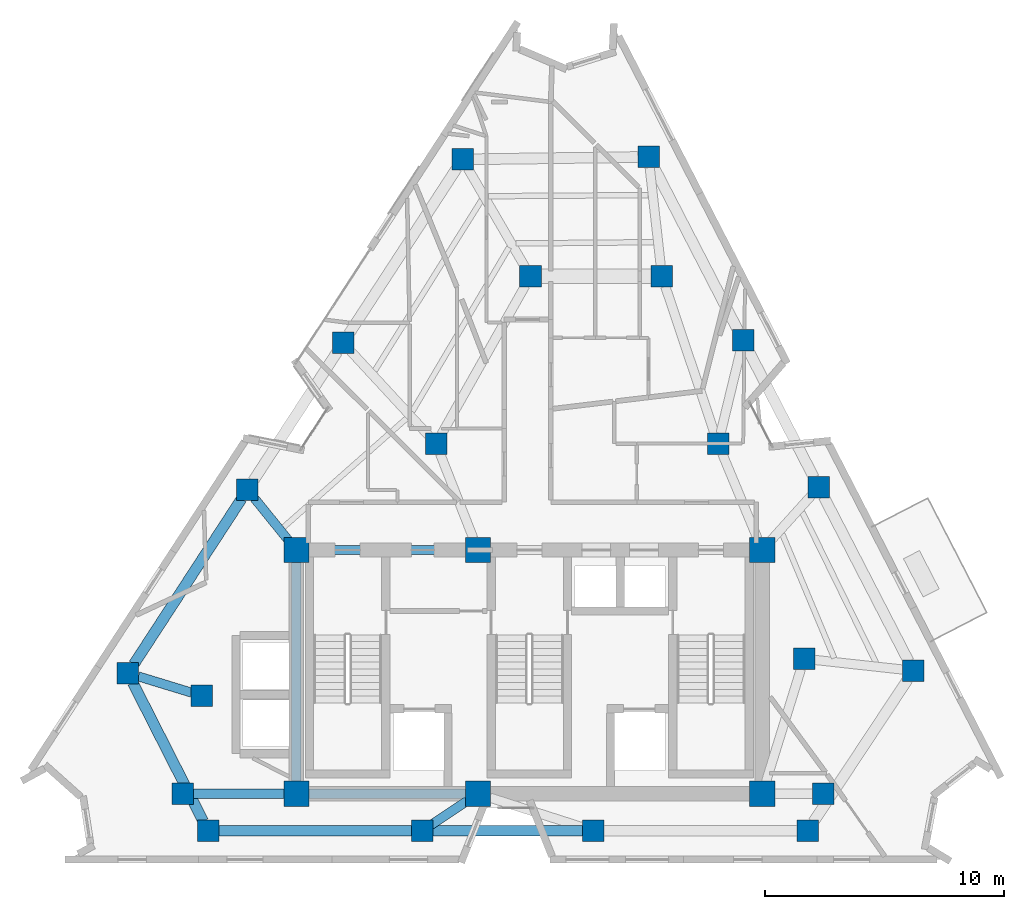
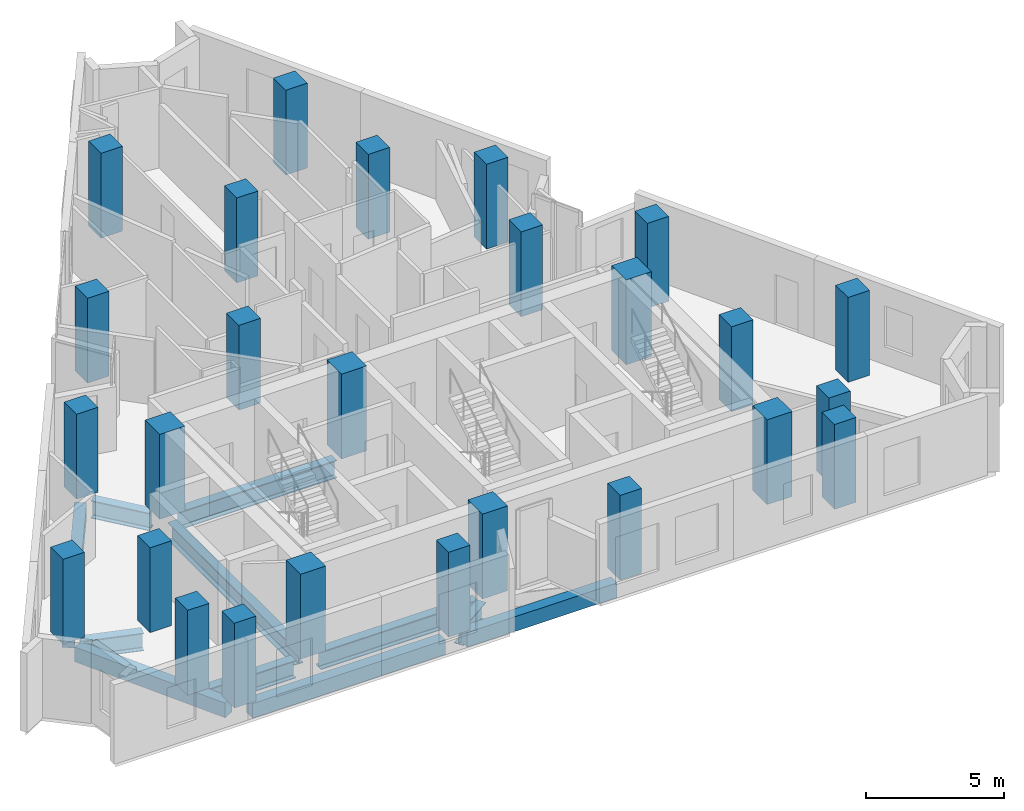
# One storey, part 1 of 10: 26 columns, 11 beams.
"""IFC4 building model written with IfcOpenShell, lengths in metres."""

from ifc_helpers import new_model, si_unit, direction, frame, origin, origin_2d, place, context, subcontext, project, spatial, rectangle, i_section, extrude, material, material_profile, profile_set, type_object, element, save


model = new_model("IFC4")

# Units and contexts
model_context = context("Model", 3, precision=1e-05, world=origin(), true_north=direction((0.0, 1.0)))
body_context = subcontext(model_context, "Body", "Model", "MODEL_VIEW")
ifc_project = project(units=[si_unit("LENGTHUNIT", "METRE"), si_unit("AREAUNIT", "SQUARE_METRE"), si_unit("VOLUMEUNIT", "CUBIC_METRE"), si_unit("PLANEANGLEUNIT", "RADIAN"), si_unit("MASSUNIT", "GRAM", prefix="KILO")], contexts=[model_context])

# Site, building, storey
site_placement = place(None, origin())
site = spatial("IfcSite", under=ifc_project, at=site_placement, CompositionType="ELEMENT")
building_placement = place(site_placement, origin())
building = spatial("IfcBuilding", under=site, at=building_placement, Name="Almagre Mirador Tower", CompositionType="ELEMENT")
storey_placement = place(building_placement, frame((0.0, 0.0, 222.0)))
storey = spatial("IfcBuildingStorey", under=building, at=storey_placement, Name="L57", CompositionType="ELEMENT", Elevation=222.0)

# Columns
ifc_material_1 = material(Name="Concrete C60/75", Category="concrete")
ifc_material_profile_1 = material_profile(ifc_material_1, rectangle(XDim=1.050048828125, YDim=1.050048828125, at=origin_2d()), Name="RC1050X1050")
ifc_profile_set_1 = profile_set([ifc_material_profile_1], Name="Concrete C60/75")
column_type_1 = type_object("IfcColumnType", Name="COL-RC1050", PredefinedType="COLUMN", material=ifc_profile_set_1)
for number, where, z_axis, x_axis, name in (
    (1, (27.550048828125, 4.550048828125, 0.0), (0.0, 0.0, 1.0), (1.0, 0.0, 0.0), "L57 core spine column CC1"),
    (2, (35.14990234375, 4.550048828125, 0.0), (0.0, 0.0, 1.0), (1.0, 0.0, 0.0), "L57 core spine column CC2"),
    (3, (47.050048828125, 4.550048828125, 0.0), (0.0, 0.0, 1.0), (1.0, 0.0, 0.0), "L57 core spine column CC3"),
    (4, (27.550048828125, 14.75, 0.0), (0.0, 0.0, 1.0), (1.0, 0.0, 0.0), "L57 core spine column CC4"),
    (5, (35.14990234375, 14.75, 0.0), (0.0, 0.0, 1.0), (1.0, 0.0, 0.0), "L57 core spine column CC5"),
    (6, (47.050048828125, 14.75, 0.0), (0.0, 0.0, 1.0), (1.0, 0.0, 0.0), "L57 core spine column CC6"),
):
    element("IfcColumn", number, at=place(storey_placement, frame(where, z_axis=z_axis, x_axis=x_axis)), inside=storey, type_object=column_type_1, Name=name, PredefinedType="COLUMN", context=body_context, shape_type="SweptSolid", body=[
        extrude(rectangle(XDim=1.050048828125, YDim=1.050048828125, at=origin_2d()), origin(), (0.0, 0.0, 1.0), 3.75),
    ])
ifc_material_2 = material(Name="Concrete C60/75", Category="concrete")
ifc_material_profile_2 = material_profile(ifc_material_2, rectangle(XDim=0.89990234375, YDim=0.89990234375, at=origin_2d()), Name="RC900X900")
ifc_profile_set_2 = profile_set([ifc_material_profile_2], Name="Concrete C60/75")
column_type_2 = type_object("IfcColumnType", Name="COL-RC900", PredefinedType="COLUMN", material=ifc_profile_set_2)
for number, where, z_axis, x_axis, name in (
    (7, (22.800048828125, 4.550048828125, 0.0), (0.0, 0.0, 1.0), (1.0, 0.0, 0.0), "L57 interior transfer column MC1"),
    (8, (49.60009765625, 4.550048828125, 0.0), (0.0, 0.0, 1.0), (1.0, 0.0, 0.0), "L57 interior transfer column MC2"),
    (9, (48.800048828125, 10.199951171875, 0.0), (0.0, 0.0, 1.0), (1.0, 0.0, 0.0), "L57 interior transfer column MC3"),
    (10, (45.199951171875, 19.199951171875, 0.0), (0.0, 0.0, 1.0), (1.0, 0.0, 0.0), "L57 interior transfer column MC5"),
    (11, (42.85009765625, 26.199951171875, 0.0), (0.0, 0.0, 1.0), (1.0, 0.0, 0.0), "L57 interior transfer column MC6"),
    (12, (37.35009765625, 26.199951171875, 0.0), (0.0, 0.0, 1.0), (1.0, 0.0, 0.0), "L57 interior transfer column MC7"),
    (13, (33.39990234375, 19.199951171875, 0.0), (0.0, 0.0, 1.0), (1.0, 0.0, 0.0), "L57 interior transfer column MC8"),
    (14, (23.60009765625, 8.64990234375, 0.0), (0.0, 0.0, 1.0), (1.0, 0.0, 0.0), "L57 interior transfer column MC10"),
    (15, (23.85595703125, 3.0, 0.0), (0.0, 0.0, 1.0), (1.0, 0.0, 0.0), "L57 perimeter column PC01"),
    (16, (32.81591796875, 3.0, 0.0), (0.0, 0.0, 1.0), (1.0, 0.0, 0.0), "L57 perimeter column PC02"),
    (17, (39.98388671875, 3.0, 0.0), (0.0, 0.0, 1.0), (1.0, 0.0, 0.0), "L57 perimeter column PC03"),
    (18, (48.944091796875, 3.0, 0.0), (0.0, 0.0, 1.0), (1.0, 0.0, 0.0), "L57 perimeter column PC04"),
    (19, (53.376953125, 9.697998046875, 0.0), (0.0, 0.0, 1.0), (1.0, 0.0, 0.0), "L57 perimeter column PC05"),
    (20, (49.4169921875, 17.3779296875, 0.0), (0.0, 0.0, 1.0), (1.0, 0.0, 0.0), "L57 perimeter column PC06"),
    (21, (46.2490234375, 23.52197265625, 0.0), (0.0, 0.0, 1.0), (1.0, 0.0, 0.0), "L57 perimeter column PC07"),
    (22, (42.2890625, 31.201904296875, 0.0), (0.0, 0.0, 1.0), (1.0, 0.0, 0.0), "L57 perimeter column PC08"),
    (23, (34.506103515625, 31.096923828125, 0.0), (0.0, 0.0, 1.0), (1.0, 0.0, 0.0), "L57 perimeter column PC09"),
    (24, (29.506103515625, 23.4169921875, 0.0), (0.0, 0.0, 1.0), (1.0, 0.0, 0.0), "L57 perimeter column PC10"),
    (25, (25.506103515625, 17.27294921875, 0.0), (0.0, 0.0, 1.0), (1.0, 0.0, 0.0), "L57 perimeter column PC11"),
    (26, (20.506103515625, 9.593017578125, 0.0), (0.0, 0.0, 1.0), (1.0, 0.0, 0.0), "L57 perimeter column PC12"),
):
    element("IfcColumn", number, at=place(storey_placement, frame(where, z_axis=z_axis, x_axis=x_axis)), inside=storey, type_object=column_type_2, Name=name, PredefinedType="COLUMN", context=body_context, shape_type="SweptSolid", body=[
        extrude(rectangle(XDim=0.89990234375, YDim=0.89990234375, at=origin_2d()), origin(), (0.0, 0.0, 1.0), 3.75),
    ])

# Beams
ifc_material_3 = material(Name="Precast concrete C50/60", Category="concrete")
ifc_material_profile_3 = material_profile(ifc_material_3, rectangle(XDim=0.449951171875, YDim=0.64990234375, at=origin_2d()), Name="RC450X650")
ifc_profile_set_3 = profile_set([ifc_material_profile_3], Name="Precast concrete C50/60")
beam_type_1 = type_object("IfcBeamType", Name="BM-SPN-RC450X650", PredefinedType="SPANDREL", material=ifc_profile_set_3)
beam_1_placement = place(storey_placement, frame((24.305908203125, 3.0, -0.574951171875), z_axis=(1.0, 0.0, 0.0), x_axis=(0.0, 1.0, 0.0)))
element("IfcBeam", 27, at=beam_1_placement, inside=storey, type_object=beam_type_1, Name="L57 perimeter spandrel beam PC01-PC02", PredefinedType="SPANDREL", context=body_context, shape_type="SweptSolid", body=[
    extrude(rectangle(XDim=0.449951171875, YDim=0.64990234375, at=origin_2d()), origin(), (0.0, 0.0, 1.0), 8.06005859375),
])
beam_2_placement = place(storey_placement, frame((33.26611328125, 3.0, -0.574951171875), z_axis=(1.0, 0.0, 0.0), x_axis=(0.0, 1.0, 0.0)))
element("IfcBeam", 28, at=beam_2_placement, inside=storey, type_object=beam_type_1, Name="L57 perimeter spandrel beam PC02-PC03", PredefinedType="SPANDREL", context=body_context, shape_type="SweptSolid", body=[
    extrude(rectangle(XDim=0.449951171875, YDim=0.64990234375, at=origin_2d()), origin(), (0.0, 0.0, 1.0), 6.267822265625),
])
beam_3_placement = place(storey_placement, frame((25.260498046875, 16.89599609375, -0.574951171875), z_axis=(-0.545607073801, -0.838041121317, 0.0), x_axis=(0.838041121317, -0.545607073801, 0.0)))
element("IfcBeam", 29, at=beam_3_placement, inside=storey, type_object=beam_type_1, Name="L57 perimeter spandrel beam PC11-PC12", PredefinedType="SPANDREL", context=body_context, shape_type="SweptSolid", body=[
    extrude(rectangle(XDim=0.449951171875, YDim=0.64990234375, at=origin_2d()), origin(), (0.0, 0.0, 1.0), 8.26416015625),
])
beam_4_placement = place(storey_placement, frame((20.709716796875, 9.19189453125, -0.574951171875), z_axis=(0.452992552256, -0.891514300278, 0.0), x_axis=(0.891514300278, 0.452992552256, 0.0)))
element("IfcBeam", 30, at=beam_4_placement, inside=storey, type_object=beam_type_1, Name="L57 perimeter spandrel beam PC12-PC01", PredefinedType="SPANDREL", context=body_context, shape_type="SweptSolid", body=[
    extrude(rectangle(XDim=0.449951171875, YDim=0.64990234375, at=origin_2d()), origin(), (0.0, 0.0, 1.0), 6.495361328125),
])
ifc_material_4 = material(Name="Steel ASTM A992 Grade 50", Category="steel")
ifc_material_profile_4 = material_profile(ifc_material_4, i_section(OverallWidth=0.384033203125, OverallDepth=0.784912109375, WebThickness=0.019775390625, FlangeThickness=0.033447265625, FilletRadius=0.02392578125, at=origin_2d()), Name="W30X211")
ifc_profile_set_4 = profile_set([ifc_material_profile_4], Name="Steel ASTM A992 Grade 50")
beam_type_2 = type_object("IfcBeamType", Name="BM-STL-W30X211", PredefinedType="BEAM", material=ifc_profile_set_4)
for number, where, z_axis, x_axis, name in (
    (31, (28.074951171875, 4.550048828125, -0.642578125), (1.0, 0.0, 0.0), (0.0, 1.0, 0.0), "L57 core tie girder CC1-CC2"),
    (32, (28.074951171875, 14.75, -0.642578125), (1.0, 0.0, 0.0), (0.0, 1.0, 0.0), "L57 core tie girder CC4-CC5"),
):
    element("IfcBeam", number, at=place(storey_placement, frame(where, z_axis=z_axis, x_axis=x_axis)), inside=storey, type_object=beam_type_2, Name=name, PredefinedType="BEAM", context=body_context, shape_type="SweptSolid", body=[
        extrude(i_section(OverallWidth=0.384033203125, OverallDepth=0.784912109375, WebThickness=0.019775390625, FlangeThickness=0.033447265625, FilletRadius=0.02392578125, at=origin_2d()), origin(), (0.0, 0.0, 1.0), 6.550048828125),
    ])
beam_5_placement = place(storey_placement, frame((27.550048828125, 5.074951171875, -0.642578125), z_axis=(0.0, 1.0, 0.0), x_axis=(-1.0, 0.0, 0.0)))
element("IfcBeam", 33, at=beam_5_placement, inside=storey, type_object=beam_type_2, Name="L57 core tie girder CC1-CC4", PredefinedType="BEAM", context=body_context, shape_type="SweptSolid", body=[
    extrude(i_section(OverallWidth=0.384033203125, OverallDepth=0.784912109375, WebThickness=0.019775390625, FlangeThickness=0.033447265625, FilletRadius=0.02392578125, at=origin_2d()), origin(), (0.0, 0.0, 1.0), 9.150146484375),
])
beam_6_placement = place(storey_placement, frame((23.25, 4.550048828125, -0.642578125), z_axis=(1.0, 0.0, 0.0), x_axis=(0.0, 1.0, 0.0)))
element("IfcBeam", 34, at=beam_6_placement, inside=storey, type_object=beam_type_2, Name="L57 core tie girder MC1-CC1", PredefinedType="BEAM", context=body_context, shape_type="SweptSolid", body=[
    extrude(i_section(OverallWidth=0.384033203125, OverallDepth=0.784912109375, WebThickness=0.019775390625, FlangeThickness=0.033447265625, FilletRadius=0.02392578125, at=origin_2d()), origin(), (0.0, 0.0, 1.0), 3.77490234375),
])
beam_7_placement = place(storey_placement, frame((33.19091796875, 3.248779296875, -0.642578125), z_axis=(0.832994863914, 0.553280721419, 0.0), x_axis=(-0.553280721419, 0.832994863914, 0.0)))
element("IfcBeam", 35, at=beam_7_placement, inside=storey, type_object=beam_type_2, Name="L57 radial floor girder PC02-CC2", PredefinedType="BEAM", context=body_context, shape_type="SweptSolid", body=[
    extrude(i_section(OverallWidth=0.384033203125, OverallDepth=0.784912109375, WebThickness=0.019775390625, FlangeThickness=0.033447265625, FilletRadius=0.02392578125, at=origin_2d()), origin(), (0.0, 0.0, 1.0), 1.826904296875),
])
beam_8_placement = place(storey_placement, frame((25.789306640625, 16.92333984375, -0.642578125), z_axis=(0.629479487661, -0.777017100593, 0.0), x_axis=(0.777017100593, 0.629479487661, 0.0)))
element("IfcBeam", 36, at=beam_8_placement, inside=storey, type_object=beam_type_2, Name="L57 radial floor girder PC11-CC4", PredefinedType="BEAM", context=body_context, shape_type="SweptSolid", body=[
    extrude(i_section(OverallWidth=0.384033203125, OverallDepth=0.784912109375, WebThickness=0.019775390625, FlangeThickness=0.033447265625, FilletRadius=0.02392578125, at=origin_2d()), origin(), (0.0, 0.0, 1.0), 2.27197265625),
])
beam_9_placement = place(storey_placement, frame((20.9365234375, 9.4619140625, -0.642578125), z_axis=(0.956544591639, -0.291586083697, 0.0), x_axis=(0.291586083697, 0.956544591639, 0.0)))
element("IfcBeam", 37, at=beam_9_placement, inside=storey, type_object=beam_type_2, Name="L57 radial floor girder PC12-MC10", PredefinedType="BEAM", context=body_context, shape_type="SweptSolid", body=[
    extrude(i_section(OverallWidth=0.384033203125, OverallDepth=0.784912109375, WebThickness=0.019775390625, FlangeThickness=0.033447265625, FilletRadius=0.02392578125, at=origin_2d()), origin(), (0.0, 0.0, 1.0), 2.334228515625),
])

save(model, "model.ifc")
